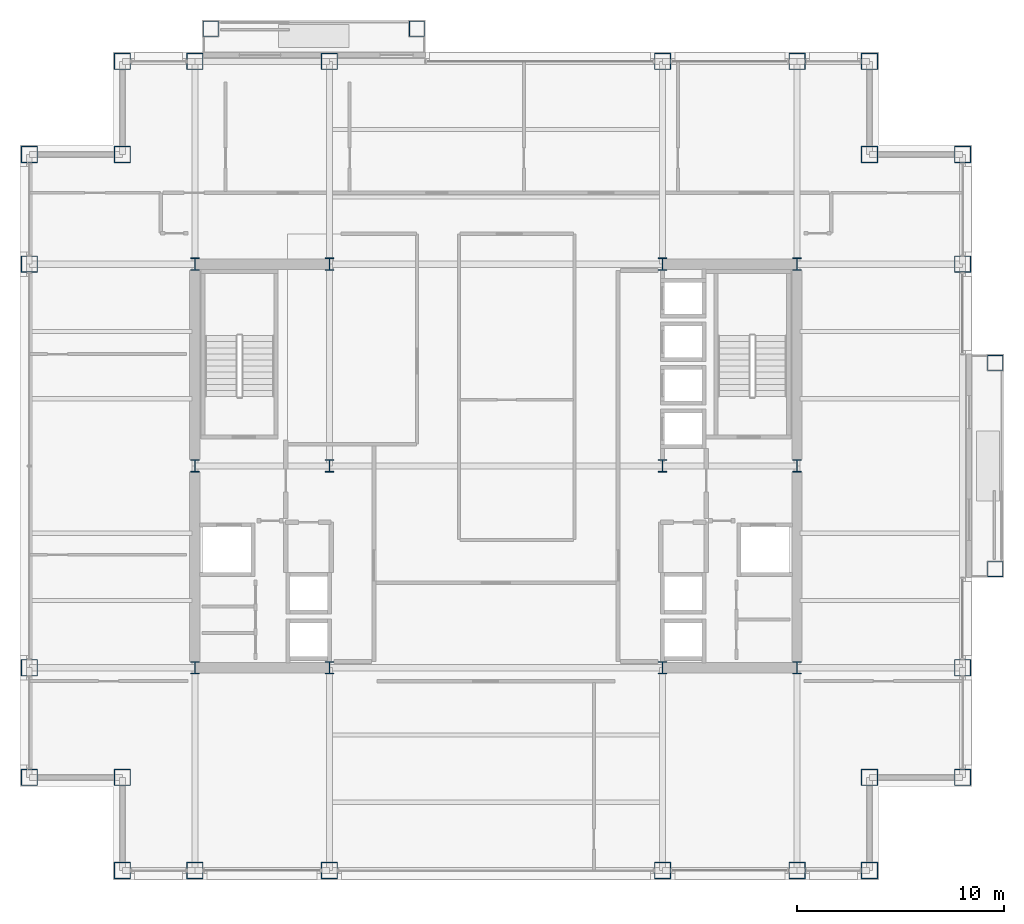
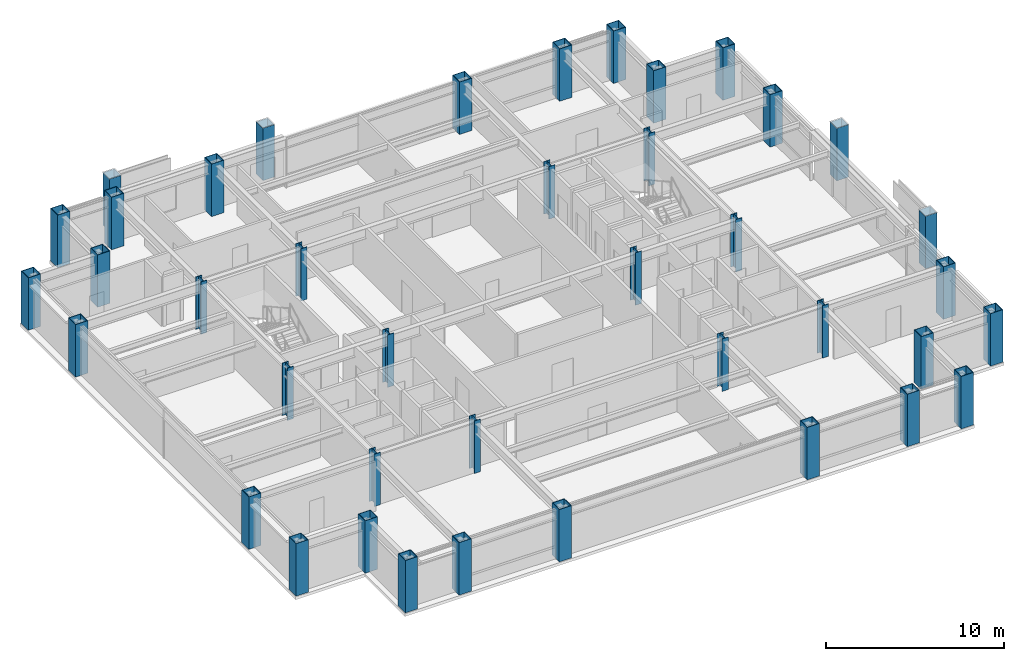
# One storey, part 1 of 29: 40 columns.
"""IFC4 building model written with IfcOpenShell, lengths in metres."""

from ifc_helpers import new_model, si_unit, direction, frame, origin, origin_2d, place, context, subcontext, project, spatial, hollow_rectangle, i_section, extrude, material, material_profile, profile_set, type_object, element, save


model = new_model("IFC4")

# Units and contexts
model_context = context("Model", 3, precision=1e-05, world=origin(), true_north=direction((0.0, 1.0)))
body_context = subcontext(model_context, "Body", "Model", "MODEL_VIEW")
ifc_project = project(units=[si_unit("LENGTHUNIT", "METRE"), si_unit("AREAUNIT", "SQUARE_METRE"), si_unit("VOLUMEUNIT", "CUBIC_METRE"), si_unit("PLANEANGLEUNIT", "RADIAN"), si_unit("MASSUNIT", "GRAM", prefix="KILO")], contexts=[model_context])

# Site, building, storey
site_placement = place(None, origin())
site = spatial("IfcSite", under=ifc_project, at=site_placement, CompositionType="ELEMENT")
building_placement = place(site_placement, origin())
building = spatial("IfcBuilding", under=site, at=building_placement, Name="Brelmoor Portico Tower", CompositionType="ELEMENT")
storey_placement = place(building_placement, frame((0.0, 0.0, 135.0)))
storey = spatial("IfcBuildingStorey", under=building, at=storey_placement, Name="L35", CompositionType="ELEMENT", Elevation=135.0)

# Columns
ifc_material = material(Name="Steel Q355B", Category="steel")
ifc_material_profile_1 = material_profile(ifc_material, hollow_rectangle(XDim=0.75, YDim=0.75, WallThickness=0.031982421875, at=origin_2d()), Name="BOX 750x750x32")
ifc_profile_set_1 = profile_set([ifc_material_profile_1], Name="Steel Q355B")
column_type_1 = type_object("IfcColumnType", Name="COL-MEGA-750", PredefinedType="COLUMN", material=ifc_profile_set_1)
for number, where, z_axis, x_axis, name in (
    (1, (-13.780029296875, 21.1298828125, 0.0), (0.0, 0.0, 1.0), (1.0, 0.0, 0.0), "L35 Proud Picture-Frame Pier PFJ-N1"),
    (2, (-3.820068359375, 21.1298828125, 0.0), (0.0, 0.0, 1.0), (1.0, 0.0, 0.0), "L35 Proud Picture-Frame Pier PFJ-N2"),
    (3, (24.1298828125, -4.97998046875, 0.0), (0.0, 0.0, 1.0), (0.0, 1.0, 0.0), "L35 Proud Picture-Frame Pier PFJ-E1"),
    (4, (24.1298828125, 4.97998046875, 0.0), (0.0, 0.0, 1.0), (0.0, 1.0, 0.0), "L35 Proud Picture-Frame Pier PFJ-E2"),
):
    element("IfcColumn", number, at=place(storey_placement, frame(where, z_axis=z_axis, x_axis=x_axis)), inside=storey, type_object=column_type_1, Name=name, PredefinedType="COLUMN", context=body_context, shape_type="SweptSolid", body=[
        extrude(hollow_rectangle(XDim=0.75, YDim=0.75, WallThickness=0.031982421875, at=origin_2d()), origin(), (0.0, 0.0, 1.0), 3.60009765625),
    ])
ifc_material_profile_2 = material_profile(ifc_material, hollow_rectangle(XDim=0.800048828125, YDim=0.800048828125, WallThickness=0.035888671875, at=origin_2d()), Name="BOX 800x800x36")
ifc_profile_set_2 = profile_set([ifc_material_profile_2], Name="Steel Q355B")
column_type_2 = type_object("IfcColumnType", Name="COL-MEGA-800", PredefinedType="COLUMN", material=ifc_profile_set_2)
for number, where, z_axis, x_axis, name in (
    (5, (-18.050048828125, -19.550048828125, 0.0), (0.0, 0.0, 1.0), (1.0, 0.0, 0.0), "L35 Perimeter Mega-Column PS01"),
    (6, (-14.550048828125, -19.550048828125, 0.0), (0.0, 0.0, 1.0), (1.0, 0.0, 0.0), "L35 Perimeter Mega-Column PS02"),
    (7, (-8.050048828125, -19.550048828125, 0.0), (0.0, 0.0, 1.0), (1.0, 0.0, 0.0), "L35 Perimeter Mega-Column PS03"),
    (8, (8.050048828125, -19.550048828125, 0.0), (0.0, 0.0, 1.0), (1.0, 0.0, 0.0), "L35 Perimeter Mega-Column PS04"),
    (9, (14.550048828125, -19.550048828125, 0.0), (0.0, 0.0, 1.0), (1.0, 0.0, 0.0), "L35 Perimeter Mega-Column PS05"),
    (10, (18.050048828125, -19.550048828125, 0.0), (0.0, 0.0, 1.0), (1.0, 0.0, 0.0), "L35 Perimeter Mega-Column PS06"),
    (11, (-18.050048828125, 19.550048828125, 0.0), (0.0, 0.0, 1.0), (1.0, 0.0, 0.0), "L35 Perimeter Mega-Column PN01"),
    (12, (-14.550048828125, 19.550048828125, 0.0), (0.0, 0.0, 1.0), (1.0, 0.0, 0.0), "L35 Perimeter Mega-Column PN02"),
    (13, (-8.050048828125, 19.550048828125, 0.0), (0.0, 0.0, 1.0), (1.0, 0.0, 0.0), "L35 Perimeter Mega-Column PN03"),
    (14, (8.050048828125, 19.550048828125, 0.0), (0.0, 0.0, 1.0), (1.0, 0.0, 0.0), "L35 Perimeter Mega-Column PN04"),
    (15, (14.550048828125, 19.550048828125, 0.0), (0.0, 0.0, 1.0), (1.0, 0.0, 0.0), "L35 Perimeter Mega-Column PN05"),
    (16, (18.050048828125, 19.550048828125, 0.0), (0.0, 0.0, 1.0), (1.0, 0.0, 0.0), "L35 Perimeter Mega-Column PN06"),
    (17, (-22.550048828125, -15.050048828125, 0.0), (0.0, 0.0, 1.0), (0.0, 1.0, 0.0), "L35 Perimeter Mega-Column PW01"),
    (18, (-22.550048828125, -9.75, 0.0), (0.0, 0.0, 1.0), (0.0, 1.0, 0.0), "L35 Perimeter Mega-Column PW02"),
    (19, (-22.550048828125, 9.75, 0.0), (0.0, 0.0, 1.0), (0.0, 1.0, 0.0), "L35 Perimeter Mega-Column PW03"),
    (20, (-22.550048828125, 15.050048828125, 0.0), (0.0, 0.0, 1.0), (0.0, 1.0, 0.0), "L35 Perimeter Mega-Column PW04"),
    (21, (22.550048828125, -15.050048828125, 0.0), (0.0, 0.0, 1.0), (0.0, 1.0, 0.0), "L35 Perimeter Mega-Column PE01"),
    (22, (22.550048828125, -9.75, 0.0), (0.0, 0.0, 1.0), (0.0, 1.0, 0.0), "L35 Perimeter Mega-Column PE02"),
    (23, (22.550048828125, 9.75, 0.0), (0.0, 0.0, 1.0), (0.0, 1.0, 0.0), "L35 Perimeter Mega-Column PE03"),
    (24, (22.550048828125, 15.050048828125, 0.0), (0.0, 0.0, 1.0), (0.0, 1.0, 0.0), "L35 Perimeter Mega-Column PE04"),
    (25, (-18.050048828125, 15.050048828125, 0.0), (0.0, 0.0, 1.0), (1.0, 0.0, 0.0), "L35 Perimeter Mega-Column PC-NW"),
    (26, (18.050048828125, 15.050048828125, 0.0), (0.0, 0.0, 1.0), (1.0, 0.0, 0.0), "L35 Perimeter Mega-Column PC-NE"),
    (27, (18.050048828125, -15.050048828125, 0.0), (0.0, 0.0, 1.0), (1.0, 0.0, 0.0), "L35 Perimeter Mega-Column PC-SE"),
    (28, (-18.050048828125, -15.050048828125, 0.0), (0.0, 0.0, 1.0), (1.0, 0.0, 0.0), "L35 Perimeter Mega-Column PC-SW"),
):
    element("IfcColumn", number, at=place(storey_placement, frame(where, z_axis=z_axis, x_axis=x_axis)), inside=storey, type_object=column_type_2, Name=name, PredefinedType="COLUMN", context=body_context, shape_type="SweptSolid", body=[
        extrude(hollow_rectangle(XDim=0.800048828125, YDim=0.800048828125, WallThickness=0.035888671875, at=origin_2d()), origin(), (0.0, 0.0, 1.0), 3.60009765625),
    ])
ifc_material_profile_3 = material_profile(ifc_material, i_section(OverallWidth=0.39990234375, OverallDepth=0.60009765625, WebThickness=0.02197265625, FlangeThickness=0.035888671875, at=origin_2d()), Name="HW 600x400x22x36")
ifc_profile_set_3 = profile_set([ifc_material_profile_3], Name="Steel Q355B")
column_type_3 = type_object("IfcColumnType", Name="COL-SPINE-600", PredefinedType="COLUMN", material=ifc_profile_set_3)
for number, where, z_axis, x_axis, name in (
    (29, (-14.550048828125, -9.75, 0.0), (0.0, 0.0, 1.0), (1.0, 0.0, 0.0), "L35 Core Spine Column CW-SW"),
    (30, (-14.550048828125, 0.0, 0.0), (0.0, 0.0, 1.0), (1.0, 0.0, 0.0), "L35 Core Spine Column CW-MW"),
    (31, (-14.550048828125, 9.75, 0.0), (0.0, 0.0, 1.0), (1.0, 0.0, 0.0), "L35 Core Spine Column CW-NW"),
    (32, (-8.050048828125, -9.75, 0.0), (0.0, 0.0, 1.0), (1.0, 0.0, 0.0), "L35 Core Spine Column CW-SE"),
    (33, (-8.050048828125, 0.0, 0.0), (0.0, 0.0, 1.0), (1.0, 0.0, 0.0), "L35 Core Spine Column CW-ME"),
    (34, (-8.050048828125, 9.75, 0.0), (0.0, 0.0, 1.0), (1.0, 0.0, 0.0), "L35 Core Spine Column CW-NE"),
    (35, (8.050048828125, -9.75, 0.0), (0.0, 0.0, 1.0), (1.0, 0.0, 0.0), "L35 Core Spine Column CE-SW"),
    (36, (8.050048828125, 0.0, 0.0), (0.0, 0.0, 1.0), (1.0, 0.0, 0.0), "L35 Core Spine Column CE-MW"),
    (37, (8.050048828125, 9.75, 0.0), (0.0, 0.0, 1.0), (1.0, 0.0, 0.0), "L35 Core Spine Column CE-NW"),
    (38, (14.550048828125, -9.75, 0.0), (0.0, 0.0, 1.0), (1.0, 0.0, 0.0), "L35 Core Spine Column CE-SE"),
    (39, (14.550048828125, 0.0, 0.0), (0.0, 0.0, 1.0), (1.0, 0.0, 0.0), "L35 Core Spine Column CE-ME"),
    (40, (14.550048828125, 9.75, 0.0), (0.0, 0.0, 1.0), (1.0, 0.0, 0.0), "L35 Core Spine Column CE-NE"),
):
    element("IfcColumn", number, at=place(storey_placement, frame(where, z_axis=z_axis, x_axis=x_axis)), inside=storey, type_object=column_type_3, Name=name, PredefinedType="COLUMN", context=body_context, shape_type="SweptSolid", body=[
        extrude(i_section(OverallWidth=0.39990234375, OverallDepth=0.60009765625, WebThickness=0.02197265625, FlangeThickness=0.035888671875, at=origin_2d()), origin(), (0.0, 0.0, 1.0), 3.60009765625),
    ])

save(model, "model.ifc")
